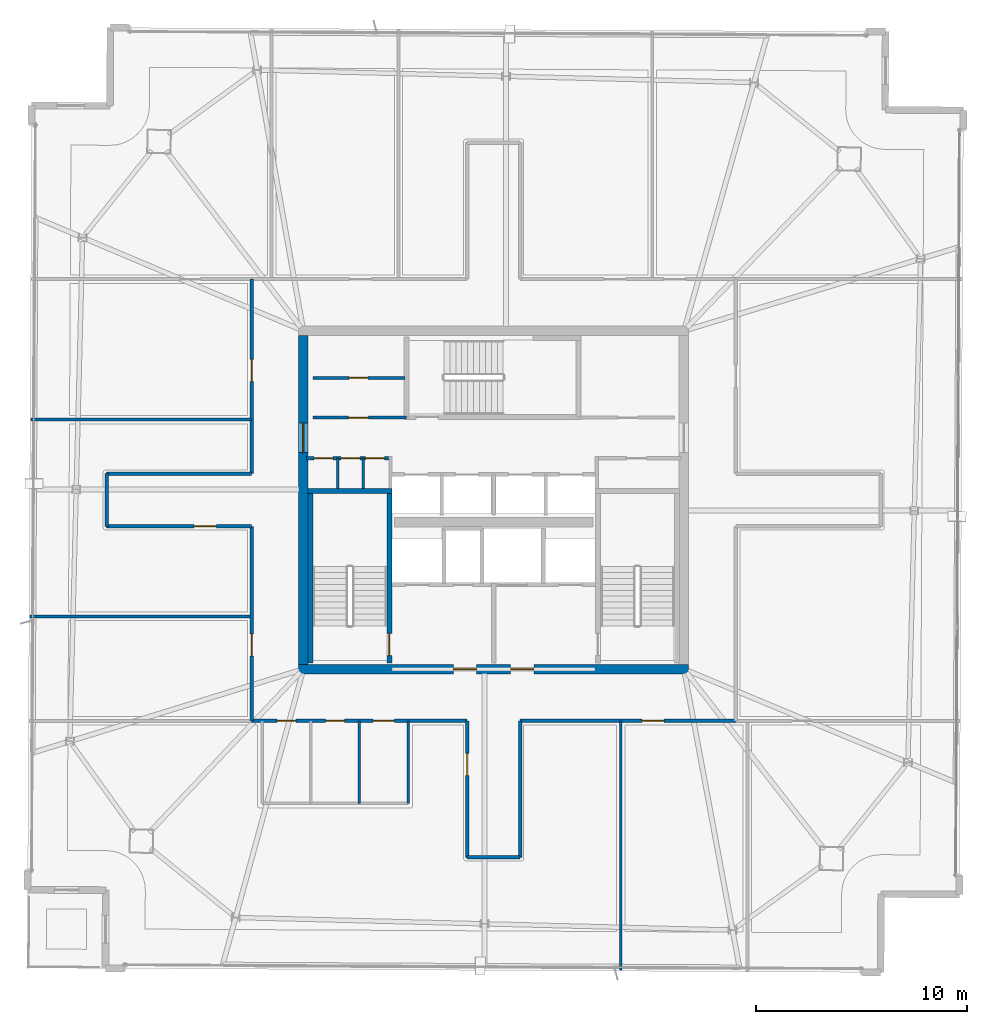
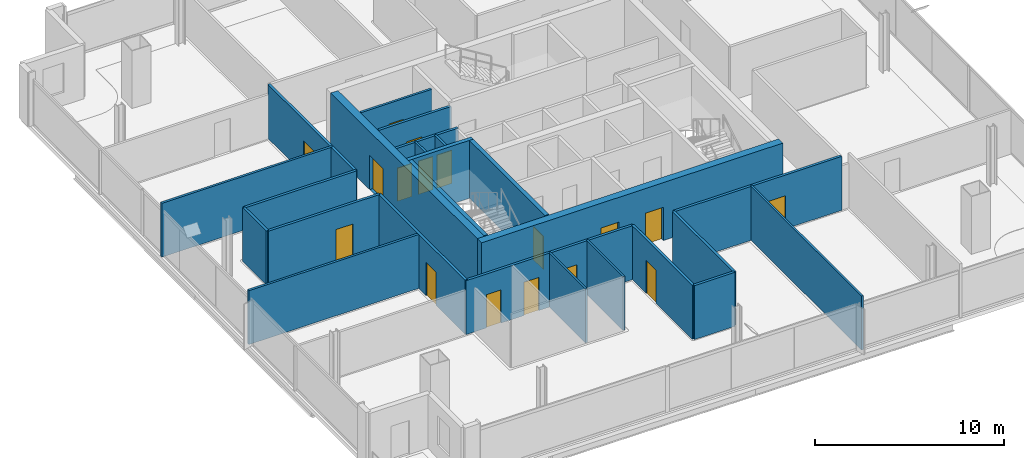
# One storey, part 19 of 24: 25 walls, 17 doors, 17 openings.
"""IFC4 building model written with IfcOpenShell, lengths in metres."""

import ifcopenshell
import ifcopenshell.guid

model = None  # the IFC model being written
_history = None  # IfcOwnerHistory: only IFC2X3 demands one
_inside = {}  # id of a spatial element -> (the spatial element, [elements in it])
_under = {}  # id of a project, library or spatial element -> (it, [spatial elements below it])
_declared = {}  # id of a project -> (the project, [libraries it declares])
_typed = {}  # id of a type object -> (the type object, [elements of that type])
_made_of = {}  # id of a material, layer set ... -> (it, [elements and type objects made of it])


def new_model(schema):
    """Start an empty IFC model of exactly this schema.

    Asked for "IFC4X3", IfcOpenShell would pick the latest addendum, in which some entities
    have other attributes; the version numbers below select the first issue.
    IFC2X3 requires an IfcOwnerHistory on every rooted entity: one is made here for all.
    """
    global model, _history
    if schema == "IFC4X3":
        model = ifcopenshell.file(schema_version=(4, 3, 0, 0))
    else:
        model = ifcopenshell.file(schema=schema)
    _inside.clear()
    _under.clear()
    _declared.clear()
    _typed.clear()
    _made_of.clear()
    _history = None
    if model.schema == "IFC2X3":
        org = make("IfcOrganization", Name="unknown")
        user = make(
            "IfcPersonAndOrganization",
            ThePerson=make("IfcPerson", FamilyName="unknown"),
            TheOrganization=org,
        )
        app = make(
            "IfcApplication",
            ApplicationDeveloper=org,
            Version="unknown",
            ApplicationFullName="unknown",
            ApplicationIdentifier="unknown",
        )
        _history = make(
            "IfcOwnerHistory",
            OwningUser=user,
            OwningApplication=app,
            ChangeAction="ADDED",
            CreationDate=0,
        )
    return model


def make(cls, **values):
    """One entity of the class cls with the attributes given. An attribute that is None is left unset."""
    return model.create_entity(
        cls, **{name: value for name, value in values.items() if value is not None}
    )


def rooted(cls, **values):
    """An entity with a GlobalId (a new one), such as an element, a storey or a relation."""
    return make(cls, GlobalId=ifcopenshell.guid.new(), OwnerHistory=_history, **values)


def si_unit(unit_type, name, prefix=None):
    """IfcSIUnit, for example si_unit("LENGTHUNIT", "METRE", prefix="MILLI")."""
    return make("IfcSIUnit", UnitType=unit_type, Prefix=prefix, Name=name)


def assignment(units):
    """IfcUnitAssignment: the units of a project."""
    return None if units is None else make("IfcUnitAssignment", Units=units)


def point(xyz):
    """IfcCartesianPoint."""
    return None if xyz is None else make("IfcCartesianPoint", Coordinates=xyz)


def direction(xyz):
    """IfcDirection."""
    return None if xyz is None else make("IfcDirection", DirectionRatios=xyz)


def frame(location, z_axis=None, x_axis=None):
    """IfcAxis2Placement3D, a coordinate frame: its origin and axes. An axis left out is left unset."""
    return make(
        "IfcAxis2Placement3D",
        Location=point(location),
        Axis=direction(z_axis),
        RefDirection=direction(x_axis),
    )


def frame_2d(location, x_axis=None):
    """IfcAxis2Placement2D, a coordinate frame in the plane: its origin and x axis."""
    return make(
        "IfcAxis2Placement2D", Location=point(location), RefDirection=direction(x_axis)
    )


def origin():
    """The frame at (0, 0, 0) with its axes left unset."""
    return frame((0.0, 0.0, 0.0))


def place(relative_to, where):
    """IfcLocalPlacement: puts the frame where relative to a parent placement (None: the world)."""
    return make(
        "IfcLocalPlacement", PlacementRelTo=relative_to, RelativePlacement=where
    )


def context(
    kind, dimensions, precision=None, world=None, true_north=None, identifier=None
):
    """IfcGeometricRepresentationContext, for example the 3D "Model" context."""
    return make(
        "IfcGeometricRepresentationContext",
        ContextIdentifier=identifier,
        ContextType=kind,
        CoordinateSpaceDimension=dimensions,
        Precision=precision,
        WorldCoordinateSystem=world,
        TrueNorth=true_north,
    )


def subcontext(parent, identifier, kind, view, scale=None):
    """IfcGeometricRepresentationSubContext, for example "Body" below "Model"."""
    return make(
        "IfcGeometricRepresentationSubContext",
        ContextIdentifier=identifier,
        ContextType=kind,
        ParentContext=parent,
        TargetScale=scale,
        TargetView=view,
    )


def project(units=None, contexts=None):
    """IfcProject with its units and contexts."""
    return rooted(
        "IfcProject",
        Name="project",
        RepresentationContexts=contexts,
        UnitsInContext=assignment(units),
    )


def spatial(cls, under=None, at=None, **own):
    """A site, building, storey or space (cls), placed at a placement, below another one or the project."""
    s = rooted(cls, ObjectPlacement=at, **own)
    if under is not None:
        _under.setdefault(under.id(), (under, []))[1].append(s)
    return s


def profile(cls, at=None, kind="AREA", **sizes):
    """A parametric profile (cls). Its sizes go by their IFC names, for example OverallWidth=200.0."""
    return make(cls, ProfileType=kind, Position=at, **sizes)


def rectangle(**sizes):
    """IfcRectangleProfileDef."""
    return profile("IfcRectangleProfileDef", **sizes)


def extrude(swept, where, along, depth):
    """IfcExtrudedAreaSolid: the profile swept, set in the frame where, extruded along a direction by depth."""
    return make(
        "IfcExtrudedAreaSolid",
        SweptArea=swept,
        Position=where,
        ExtrudedDirection=direction(along),
        Depth=depth,
    )


def shape(context_of_items, identifier, shape_type, items):
    """IfcShapeRepresentation: the items that make up one representation, for example the "Body"."""
    return make(
        "IfcShapeRepresentation",
        ContextOfItems=context_of_items,
        RepresentationIdentifier=identifier,
        RepresentationType=shape_type,
        Items=items,
    )


def material(Name=None, Category=None):
    """IfcMaterial."""
    return make("IfcMaterial", Name=Name, Category=Category)


def layer(
    of_material, thickness, ventilated=None, Name=None, Category=None, Priority=None
):
    """IfcMaterialLayer: one layer of a wall or slab, of a material (None: an air gap)."""
    return make(
        "IfcMaterialLayer",
        Material=of_material,
        LayerThickness=thickness,
        IsVentilated=ventilated,
        Name=Name,
        Category=Category,
        Priority=Priority,
    )


def layer_set(layers, Name=None):
    """IfcMaterialLayerSet."""
    return make("IfcMaterialLayerSet", MaterialLayers=layers, LayerSetName=Name)


def made_of(thing, what):
    """Note that an element or type object is made of a material, layer set ...; save() writes the relation."""
    if what is not None:
        _made_of.setdefault(what.id(), (what, []))[1].append(thing)
    return thing


def type_object(cls, material=None, **own):
    """A type object (cls), such as IfcWallType, which elements share."""
    return made_of(rooted(cls, **own), material)


def element(
    cls,
    number,
    at=None,
    inside=None,
    cuts=None,
    type_object=None,
    material=None,
    context=None,
    identifier="Body",
    shape_type=None,
    held_by="IfcProductDefinitionShape",
    body=None,
    shapes=None,
    **own,
):
    """One element of the class cls, such as IfcWall. Its Tag is "e" and its number.

    at: its placement. inside: the storey or other place that contains it. cuts: it is an
    opening in that element (IfcRelVoidsElement). A single representation is given by context,
    identifier, shape_type and body (its items); several are given by shapes. held_by: the class
    of the entity that holds the representations. save() writes the other relations.
    """
    e = rooted(cls, Tag="e%d" % number, ObjectPlacement=at, **own)
    if body is not None:
        shapes = [shape(context, identifier, shape_type, body)]
    if shapes is not None:
        e.Representation = make(held_by, Representations=shapes)
    if inside is not None:
        _inside.setdefault(inside.id(), (inside, []))[1].append(e)
    if cuts is not None:
        rooted(
            "IfcRelVoidsElement", RelatingBuildingElement=cuts, RelatedOpeningElement=e
        )
    if type_object is not None:
        _typed.setdefault(type_object.id(), (type_object, []))[1].append(e)
    return made_of(e, material)


def fill(opening, filler):
    """IfcRelFillsElement: the door or window that sits in an opening."""
    return rooted(
        "IfcRelFillsElement",
        RelatingOpeningElement=opening,
        RelatedBuildingElement=filler,
    )


def aggregate(whole, parts):
    """IfcRelAggregates: a whole, such as a stair, and the parts it consists of."""
    return rooted("IfcRelAggregates", RelatingObject=whole, RelatedObjects=parts)


def save(model, path):
    """Write the relations noted so far, then the file.

    IfcRelAggregates (storeys below a building ...), IfcRelContainedInSpatialStructure (elements
    in a storey), IfcRelDefinesByType, IfcRelAssociatesMaterial and IfcRelDeclares: one each for
    every whole, place, type object, material and project.
    """
    for whole, parts in _under.values():
        aggregate(whole, parts)
    for where, things in _inside.values():
        rooted(
            "IfcRelContainedInSpatialStructure",
            RelatedElements=things,
            RelatingStructure=where,
        )
    for kind, things in _typed.values():
        rooted("IfcRelDefinesByType", RelatedObjects=things, RelatingType=kind)
    for what, things in _made_of.values():
        rooted("IfcRelAssociatesMaterial", RelatedObjects=things, RelatingMaterial=what)
    for by, libraries in _declared.values():
        rooted("IfcRelDeclares", RelatingContext=by, RelatedDefinitions=libraries)
    model.write(path)


model = new_model("IFC4")

# Units and contexts
model_context = context("Model", 3, precision=1e-05, world=origin(), true_north=direction((0.0, 1.0)))
body_context = subcontext(model_context, "Body", "Model", "MODEL_VIEW")
ifc_project = project(units=[si_unit("LENGTHUNIT", "METRE"), si_unit("AREAUNIT", "SQUARE_METRE"), si_unit("VOLUMEUNIT", "CUBIC_METRE"), si_unit("PLANEANGLEUNIT", "RADIAN"), si_unit("MASSUNIT", "GRAM", prefix="KILO")], contexts=[model_context])

# Site, building, storey
site_placement = place(None, origin())
site = spatial("IfcSite", under=ifc_project, at=site_placement, CompositionType="ELEMENT")
building_placement = place(site_placement, origin())
building = spatial("IfcBuilding", under=site, at=building_placement, Name="Haldenkirk Collegiate Tower", CompositionType="ELEMENT")
storey_placement = place(building_placement, frame((0.0, 0.0, 328.949951171875)))
storey = spatial("IfcBuildingStorey", under=building, at=storey_placement, Name="L83", CompositionType="ELEMENT", Elevation=328.949951171875)

# Wall, openings, doors
ifc_material_1 = material(Name="Concrete f'c 55 MPa", Category="concrete")
ifc_layer_1 = layer(ifc_material_1, 0.449951171875)
ifc_layer_set_1 = layer_set([ifc_layer_1], Name="Concrete f'c 55 MPa")
wall_type_1 = type_object("IfcWallType", Name="WL-CORE-450", PredefinedType="SHEAR", material=ifc_layer_set_1)
wall_1_placement = place(storey_placement, frame((26.77490234375, 18.0, 0.0), z_axis=(0.0, 0.0, 1.0), x_axis=(1.0, 0.0, 0.0)))
wall_1 = element("IfcWall", 1, at=wall_1_placement, inside=storey, type_object=wall_type_1, Name="L83 central core shear wall S", PredefinedType="SHEAR", context=body_context, shape_type="SweptSolid", body=[
    extrude(rectangle(XDim=18.4501953125, YDim=0.449951171875, at=frame_2d((9.22509765625, 0.0))), origin(), (0.0, 0.0, 1.0), 3.75),
])
opening_1_placement = place(wall_1_placement, frame((7.324951171875, 0.0, 0.0)))
opening_1 = element("IfcOpeningElement", 2, at=opening_1_placement, cuts=wall_1, Name="Opening D-02", PredefinedType="OPENING", context=body_context, shape_type="SweptSolid", body=[
    extrude(rectangle(XDim=1.10009765625, YDim=2.14990234375, at=frame_2d((0.550048828125, 1.074951171875))), frame((0.0, 0.23486328125, 0.0), z_axis=(0.0, -1.0, 0.0), x_axis=(1.0, 0.0, 0.0)), (0.0, 0.0, 1.0), 0.469970703125),
])
opening_2_placement = place(wall_1_placement, frame((10.02490234375, 0.0, 0.0)))
opening_2 = element("IfcOpeningElement", 3, at=opening_2_placement, cuts=wall_1, Name="Opening D-02", PredefinedType="OPENING", context=body_context, shape_type="SweptSolid", body=[
    extrude(rectangle(XDim=1.10009765625, YDim=2.14990234375, at=frame_2d((0.550048828125, 1.074951171875))), frame((0.0, 0.23486328125, 0.0), z_axis=(0.0, -1.0, 0.0), x_axis=(1.0, 0.0, 0.0)), (0.0, 0.0, 1.0), 0.469970703125),
])
ifc_material_2 = material(Name="Galvanized fire-rated hollow steel door", Category="steel")
ifc_layer_2 = layer(ifc_material_2, 0.06005859375)
ifc_layer_set_2 = layer_set([ifc_layer_2], Name="Galvanized fire-rated hollow steel door")
door_type_1 = type_object("IfcDoorType", Name="DR-STAIR-FD90-1100", OperationType="NOTDEFINED", PredefinedType="DOOR", material=ifc_layer_set_2)
door_1_placement = place(opening_1_placement, origin())
door_1 = element("IfcDoor", 4, at=door_1_placement, inside=storey, type_object=door_type_1, Name="L83 Firefighting Lobby 1 door", OperationType="SINGLE_SWING_LEFT", OverallHeight=2.14990234375, OverallWidth=1.10009765625, PredefinedType="DOOR", context=body_context, shape_type="SweptSolid", body=[
    extrude(rectangle(XDim=1.10009765625, YDim=2.14990234375, at=frame_2d((0.550048828125, 1.074951171875))), frame((0.0, 0.02490234375, 0.0), z_axis=(0.0, -1.0, 0.0), x_axis=(1.0, 0.0, 0.0)), (0.0, 0.0, 1.0), 0.050048828125),
])
fill(opening_1, door_1)
door_2_placement = place(opening_2_placement, origin())
door_2 = element("IfcDoor", 5, at=door_2_placement, inside=storey, type_object=door_type_1, Name="L83 Firefighting Lobby 2 door", OperationType="SINGLE_SWING_RIGHT", OverallHeight=2.14990234375, OverallWidth=1.10009765625, PredefinedType="DOOR", context=body_context, shape_type="SweptSolid", body=[
    extrude(rectangle(XDim=1.10009765625, YDim=2.14990234375, at=frame_2d((0.550048828125, 1.074951171875))), frame((0.0, 0.02490234375, 0.0), z_axis=(0.0, -1.0, 0.0), x_axis=(1.0, 0.0, 0.0)), (0.0, 0.0, 1.0), 0.050048828125),
])
fill(opening_2, door_2)

# Wall, opening, door
wall_2_placement = place(storey_placement, frame((27.0, 18.22509765625, 0.0), z_axis=(0.0, 0.0, 1.0), x_axis=(0.0, 1.0, 0.0)))
wall_2 = element("IfcWall", 6, at=wall_2_placement, inside=storey, type_object=wall_type_1, Name="L83 central core shear wall W", PredefinedType="SHEAR", context=body_context, shape_type="SweptSolid", body=[
    extrude(rectangle(XDim=15.5498046875, YDim=0.449951171875, at=frame_2d((7.77490234375, 0.0))), origin(), (0.0, 0.0, 1.0), 3.75),
])
opening_3_placement = place(wall_2_placement, frame((10.014892578125, 0.0, 0.0)))
opening_3 = element("IfcOpeningElement", 7, at=opening_3_placement, cuts=wall_2, Name="Opening D-03", PredefinedType="OPENING", context=body_context, shape_type="SweptSolid", body=[
    extrude(rectangle(XDim=1.39990234375, YDim=2.199951171875, at=frame_2d((0.699951171875, 1.10009765625))), frame((0.0, 0.23486328125, 0.0), z_axis=(0.0, -1.0, 0.0), x_axis=(1.0, 0.0, 0.0)), (0.0, 0.0, 1.0), 0.469970703125),
])
ifc_layer_3 = layer(ifc_material_2, 0.06005859375)
ifc_layer_set_3 = layer_set([ifc_layer_3], Name="Galvanized fire-rated hollow steel door")
door_type_2 = type_object("IfcDoorType", Name="DR-LOBBY-FD90-1400", OperationType="NOTDEFINED", PredefinedType="DOOR", material=ifc_layer_set_3)
door_3_placement = place(opening_3_placement, origin())
door_3 = element("IfcDoor", 8, at=door_3_placement, inside=storey, type_object=door_type_2, Name="L83 west lift lobby portal", OperationType="DOUBLE_DOOR_SINGLE_SWING", OverallHeight=2.199951171875, OverallWidth=1.39990234375, PredefinedType="DOOR", context=body_context, shape_type="SweptSolid", body=[
    extrude(rectangle(XDim=1.39990234375, YDim=2.199951171875, at=frame_2d((0.699951171875, 1.10009765625))), frame((0.0, 0.02490234375, 0.0), z_axis=(0.0, -1.0, 0.0), x_axis=(1.0, 0.0, 0.0)), (0.0, 0.0, 1.0), 0.050048828125),
])
fill(opening_3, door_3)

# Wall, openings, doors
ifc_material_3 = material(Name="Acoustic fire-rated gypsum partition", Category="concrete")
ifc_layer_4 = layer(ifc_material_3, 0.159912109375)
ifc_layer_set_4 = layer_set([ifc_layer_4], Name="Acoustic fire-rated gypsum partition")
wall_type_2 = type_object("IfcWallType", Name="WL-INT-CORR-160", PredefinedType="PARTITIONING", material=ifc_layer_set_4)
wall_3_placement = place(storey_placement, frame((27.14990234375, 27.97998046875, 0.0), z_axis=(0.0, 0.0, 1.0), x_axis=(1.0, 0.0, 0.0)))
wall_3 = element("IfcWall", 9, at=wall_3_placement, inside=storey, type_object=wall_type_2, Name="L83 interior partition IW-L83-VCSW-N", PredefinedType="PARTITIONING", context=body_context, shape_type="SweptSolid", body=[
    extrude(rectangle(XDim=4.050048828125, YDim=0.159912109375, at=frame_2d((2.02490234375, 0.0))), origin(), (0.0, 0.0, 1.0), 3.489990234375),
])
opening_4_placement = place(wall_3_placement, frame((0.360107421875, 0.0, 0.0)))
opening_4 = element("IfcOpeningElement", 10, at=opening_4_placement, cuts=wall_3, Name="Opening D-11", PredefinedType="OPENING", context=body_context, shape_type="SweptSolid", body=[
    extrude(rectangle(XDim=0.89990234375, YDim=2.14990234375, at=frame_2d((0.449951171875, 1.074951171875))), frame((0.0, 0.08984375, 0.0), z_axis=(0.0, -1.0, 0.0), x_axis=(1.0, 0.0, 0.0)), (0.0, 0.0, 1.0), 0.179931640625),
])
opening_5_placement = place(wall_3_placement, frame((1.6298828125, 0.0, 0.0)))
opening_5 = element("IfcOpeningElement", 11, at=opening_5_placement, cuts=wall_3, Name="Opening D-11", PredefinedType="OPENING", context=body_context, shape_type="SweptSolid", body=[
    extrude(rectangle(XDim=0.89990234375, YDim=2.14990234375, at=frame_2d((0.449951171875, 1.074951171875))), frame((0.0, 0.08984375, 0.0), z_axis=(0.0, -1.0, 0.0), x_axis=(1.0, 0.0, 0.0)), (0.0, 0.0, 1.0), 0.179931640625),
])
opening_6_placement = place(wall_3_placement, frame((2.78759765625, 0.0, 0.0)))
opening_6 = element("IfcOpeningElement", 12, at=opening_6_placement, cuts=wall_3, Name="Opening D-11", PredefinedType="OPENING", context=body_context, shape_type="SweptSolid", body=[
    extrude(rectangle(XDim=0.89990234375, YDim=2.14990234375, at=frame_2d((0.449951171875, 1.074951171875))), frame((0.0, 0.08984375, 0.0), z_axis=(0.0, -1.0, 0.0), x_axis=(1.0, 0.0, 0.0)), (0.0, 0.0, 1.0), 0.179931640625),
])
ifc_material_4 = material(Name="Solid-core architectural oak fire door", Category="wood")
ifc_layer_5 = layer(ifc_material_4, 0.06005859375)
ifc_layer_set_5 = layer_set([ifc_layer_5], Name="Solid-core architectural oak fire door")
door_type_3 = type_object("IfcDoorType", Name="DR-INT-FD60-900", OperationType="NOTDEFINED", PredefinedType="DOOR", material=ifc_layer_set_5)
door_4_placement = place(opening_4_placement, origin())
door_4 = element("IfcDoor", 13, at=door_4_placement, inside=storey, type_object=door_type_3, Name="L83 core study booth door", OperationType="SINGLE_SWING_LEFT", OverallHeight=2.14990234375, OverallWidth=0.89990234375, PredefinedType="DOOR", context=body_context, shape_type="SweptSolid", body=[
    extrude(rectangle(XDim=0.89990234375, YDim=2.14990234375, at=frame_2d((0.449951171875, 1.074951171875))), frame((0.0, 0.02490234375, 0.0), z_axis=(0.0, -1.0, 0.0), x_axis=(1.0, 0.0, 0.0)), (0.0, 0.0, 1.0), 0.050048828125),
])
fill(opening_4, door_4)
door_5_placement = place(opening_5_placement, origin())
door_5 = element("IfcDoor", 14, at=door_5_placement, inside=storey, type_object=door_type_3, Name="L83 core cleaners door", OperationType="SINGLE_SWING_RIGHT", OverallHeight=2.14990234375, OverallWidth=0.89990234375, PredefinedType="DOOR", context=body_context, shape_type="SweptSolid", body=[
    extrude(rectangle(XDim=0.89990234375, YDim=2.14990234375, at=frame_2d((0.449951171875, 1.074951171875))), frame((0.0, 0.02490234375, 0.0), z_axis=(0.0, -1.0, 0.0), x_axis=(1.0, 0.0, 0.0)), (0.0, 0.0, 1.0), 0.050048828125),
])
fill(opening_5, door_5)
door_6_placement = place(opening_6_placement, origin())
door_6 = element("IfcDoor", 15, at=door_6_placement, inside=storey, type_object=door_type_3, Name="L83 core stationery door", OperationType="SINGLE_SWING_LEFT", OverallHeight=2.14990234375, OverallWidth=0.89990234375, PredefinedType="DOOR", context=body_context, shape_type="SweptSolid", body=[
    extrude(rectangle(XDim=0.89990234375, YDim=2.14990234375, at=frame_2d((0.449951171875, 1.074951171875))), frame((0.0, 0.02490234375, 0.0), z_axis=(0.0, -1.0, 0.0), x_axis=(1.0, 0.0, 0.0)), (0.0, 0.0, 1.0), 0.050048828125),
])
fill(opening_6, door_6)

# Wall, opening, door
wall_4_placement = place(storey_placement, frame((27.449951171875, 29.89990234375, 0.0), z_axis=(0.0, 0.0, 1.0), x_axis=(1.0, 0.0, 0.0)))
wall_4 = element("IfcWall", 16, at=wall_4_placement, inside=storey, type_object=wall_type_2, Name="L83 interior partition IW-L83-PLS", PredefinedType="PARTITIONING", context=body_context, shape_type="SweptSolid", body=[
    extrude(rectangle(XDim=4.429931640625, YDim=0.159912109375, at=frame_2d((2.21484375, 0.0))), origin(), (0.0, 0.0, 1.0), 3.489990234375),
])
opening_7_placement = place(wall_4_placement, frame((1.675048828125, 0.0, 0.0)))
opening_7 = element("IfcOpeningElement", 17, at=opening_7_placement, cuts=wall_4, Name="Opening D-10", PredefinedType="OPENING", context=body_context, shape_type="SweptSolid", body=[
    extrude(rectangle(XDim=0.949951171875, YDim=2.14990234375, at=frame_2d((0.47509765625, 1.074951171875))), frame((0.0, 0.08984375, 0.0), z_axis=(0.0, -1.0, 0.0), x_axis=(1.0, 0.0, 0.0)), (0.0, 0.0, 1.0), 0.179931640625),
])
ifc_layer_6 = layer(ifc_material_4, 0.06005859375)
ifc_layer_set_6 = layer_set([ifc_layer_6], Name="Solid-core architectural oak fire door")
door_type_4 = type_object("IfcDoorType", Name="DR-INT-FD60-950", OperationType="NOTDEFINED", PredefinedType="DOOR", material=ifc_layer_set_6)
door_7_placement = place(opening_7_placement, origin())
door_7 = element("IfcDoor", 18, at=door_7_placement, inside=storey, type_object=door_type_4, Name="L83 consultation door", OperationType="SINGLE_SWING_LEFT", OverallHeight=2.14990234375, OverallWidth=0.949951171875, PredefinedType="DOOR", context=body_context, shape_type="SweptSolid", body=[
    extrude(rectangle(XDim=0.949951171875, YDim=2.14990234375, at=frame_2d((0.47509765625, 1.074951171875))), frame((0.0, 0.02490234375, 0.0), z_axis=(0.0, -1.0, 0.0), x_axis=(1.0, 0.0, 0.0)), (0.0, 0.0, 1.0), 0.050048828125),
])
fill(opening_7, door_7)

# Wall, openings, doors
wall_5_placement = place(storey_placement, frame((24.5, 15.550048828125, 0.0), z_axis=(0.0, 0.0, 1.0), x_axis=(1.0, 0.0, 0.0)))
wall_5 = element("IfcWall", 19, at=wall_5_placement, inside=storey, type_object=wall_type_2, Name="L83 interior partition IW-L83-CS1", PredefinedType="PARTITIONING", context=body_context, shape_type="SweptSolid", body=[
    extrude(rectangle(XDim=10.25, YDim=0.159912109375, at=frame_2d((5.125, 0.0))), origin(), (0.0, 0.0, 1.0), 3.489990234375),
])
opening_8_placement = place(wall_5_placement, frame((1.25, 0.0, 0.0)))
opening_8 = element("IfcOpeningElement", 20, at=opening_8_placement, cuts=wall_5, Name="Opening D-13", PredefinedType="OPENING", context=body_context, shape_type="SweptSolid", body=[
    extrude(rectangle(XDim=0.89990234375, YDim=2.14990234375, at=frame_2d((0.449951171875, 1.074951171875))), frame((0.0, 0.08984375, 0.0), z_axis=(0.0, -1.0, 0.0), x_axis=(1.0, 0.0, 0.0)), (0.0, 0.0, 1.0), 0.179931640625),
])
opening_9_placement = place(wall_5_placement, frame((3.550048828125, 0.0, 0.0)))
opening_9 = element("IfcOpeningElement", 21, at=opening_9_placement, cuts=wall_5, Name="Opening D-13", PredefinedType="OPENING", context=body_context, shape_type="SweptSolid", body=[
    extrude(rectangle(XDim=0.89990234375, YDim=2.14990234375, at=frame_2d((0.449951171875, 1.074951171875))), frame((0.0, 0.08984375, 0.0), z_axis=(0.0, -1.0, 0.0), x_axis=(1.0, 0.0, 0.0)), (0.0, 0.0, 1.0), 0.179931640625),
])
opening_10_placement = place(wall_5_placement, frame((5.800048828125, 0.0, 0.0)))
opening_10 = element("IfcOpeningElement", 22, at=opening_10_placement, cuts=wall_5, Name="Opening D-14", PredefinedType="OPENING", context=body_context, shape_type="SweptSolid", body=[
    extrude(rectangle(XDim=1.0, YDim=2.14990234375, at=frame_2d((0.5, 1.074951171875))), frame((0.0, 0.08984375, 0.0), z_axis=(0.0, -1.0, 0.0), x_axis=(1.0, 0.0, 0.0)), (0.0, 0.0, 1.0), 0.179931640625),
])
ifc_layer_7 = layer(ifc_material_4, 0.06005859375)
ifc_layer_set_7 = layer_set([ifc_layer_7], Name="Solid-core architectural oak fire door")
door_type_5 = type_object("IfcDoorType", Name="DR-INT-ACC-1000", OperationType="NOTDEFINED", PredefinedType="DOOR", material=ifc_layer_set_7)
door_8_placement = place(opening_10_placement, origin())
door_8 = element("IfcDoor", 23, at=door_8_placement, inside=storey, type_object=door_type_5, Name="L83 Accessible WC door", OperationType="SINGLE_SWING_RIGHT", OverallHeight=2.14990234375, OverallWidth=1.0, PredefinedType="DOOR", context=body_context, shape_type="SweptSolid", body=[
    extrude(rectangle(XDim=1.0, YDim=2.14990234375, at=frame_2d((0.5, 1.074951171875))), frame((0.0, 0.02490234375, 0.0), z_axis=(0.0, -1.0, 0.0), x_axis=(1.0, 0.0, 0.0)), (0.0, 0.0, 1.0), 0.050048828125),
])
fill(opening_10, door_8)
ifc_layer_8 = layer(ifc_material_4, 0.06005859375)
ifc_layer_set_8 = layer_set([ifc_layer_8], Name="Solid-core architectural oak fire door")
door_type_6 = type_object("IfcDoorType", Name="DR-INT-STD-900", OperationType="NOTDEFINED", PredefinedType="DOOR", material=ifc_layer_set_8)
door_9_placement = place(opening_8_placement, origin())
door_9 = element("IfcDoor", 24, at=door_9_placement, inside=storey, type_object=door_type_6, Name="L83 Male WC door", OperationType="SINGLE_SWING_RIGHT", OverallHeight=2.14990234375, OverallWidth=0.89990234375, PredefinedType="DOOR", context=body_context, shape_type="SweptSolid", body=[
    extrude(rectangle(XDim=0.89990234375, YDim=2.14990234375, at=frame_2d((0.449951171875, 1.074951171875))), frame((0.0, 0.02490234375, 0.0), z_axis=(0.0, -1.0, 0.0), x_axis=(1.0, 0.0, 0.0)), (0.0, 0.0, 1.0), 0.050048828125),
])
fill(opening_8, door_9)
door_10_placement = place(opening_9_placement, origin())
door_10 = element("IfcDoor", 25, at=door_10_placement, inside=storey, type_object=door_type_6, Name="L83 Female WC door", OperationType="SINGLE_SWING_LEFT", OverallHeight=2.14990234375, OverallWidth=0.89990234375, PredefinedType="DOOR", context=body_context, shape_type="SweptSolid", body=[
    extrude(rectangle(XDim=0.89990234375, YDim=2.14990234375, at=frame_2d((0.449951171875, 1.074951171875))), frame((0.0, 0.02490234375, 0.0), z_axis=(0.0, -1.0, 0.0), x_axis=(1.0, 0.0, 0.0)), (0.0, 0.0, 1.0), 0.050048828125),
])
fill(opening_9, door_10)

# Wall, opening, door
wall_6_placement = place(storey_placement, frame((37.25, 15.550048828125, 0.0), z_axis=(0.0, 0.0, 1.0), x_axis=(1.0, 0.0, 0.0)))
wall_6 = element("IfcWall", 26, at=wall_6_placement, inside=storey, type_object=wall_type_2, Name="L83 interior partition IW-L83-CS2", PredefinedType="PARTITIONING", context=body_context, shape_type="SweptSolid", body=[
    extrude(rectangle(XDim=10.25, YDim=0.159912109375, at=frame_2d((5.125, 0.0))), origin(), (0.0, 0.0, 1.0), 3.489990234375),
])
opening_11_placement = place(wall_6_placement, frame((5.759033203125, 0.0, 0.0)))
opening_11 = element("IfcOpeningElement", 27, at=opening_11_placement, cuts=wall_6, Name="Opening D-09", PredefinedType="OPENING", context=body_context, shape_type="SweptSolid", body=[
    extrude(rectangle(XDim=1.050048828125, YDim=2.14990234375, at=frame_2d((0.52490234375, 1.074951171875))), frame((0.0, 0.08984375, 0.0), z_axis=(0.0, -1.0, 0.0), x_axis=(1.0, 0.0, 0.0)), (0.0, 0.0, 1.0), 0.179931640625),
])
ifc_layer_9 = layer(ifc_material_4, 0.06005859375)
ifc_layer_set_9 = layer_set([ifc_layer_9], Name="Solid-core architectural oak fire door")
door_type_7 = type_object("IfcDoorType", Name="DR-INT-FD60-1050", OperationType="NOTDEFINED", PredefinedType="DOOR", material=ifc_layer_set_9)
door_11_placement = place(opening_11_placement, origin())
door_11 = element("IfcDoor", 28, at=door_11_placement, inside=storey, type_object=door_type_7, Name="L83 Colloquium Conference Room 2 door", OperationType="SINGLE_SWING_RIGHT", OverallHeight=2.14990234375, OverallWidth=1.050048828125, PredefinedType="DOOR", context=body_context, shape_type="SweptSolid", body=[
    extrude(rectangle(XDim=1.050048828125, YDim=2.14990234375, at=frame_2d((0.52490234375, 1.074951171875))), frame((0.0, 0.02490234375, 0.0), z_axis=(0.0, -1.0, 0.0), x_axis=(1.0, 0.0, 0.0)), (0.0, 0.0, 1.0), 0.050048828125),
])
fill(opening_11, door_11)

wall_7_placement = place(storey_placement, frame((24.550048828125, 15.550048828125, 0.0), z_axis=(0.0, 0.0, 1.0), x_axis=(0.0, 1.0, 0.0)))
wall_7 = element("IfcWall", 29, at=wall_7_placement, inside=storey, type_object=wall_type_2, Name="L83 interior partition IW-L83-CW1", PredefinedType="PARTITIONING", context=body_context, shape_type="SweptSolid", body=[
    extrude(rectangle(XDim=9.199951171875, YDim=0.159912109375, at=frame_2d((4.60009765625, 0.0))), origin(), (0.0, 0.0, 1.0), 3.489990234375),
])
opening_12_placement = place(wall_7_placement, frame((3.06689453125, 0.0, 0.0)))
opening_12 = element("IfcOpeningElement", 30, at=opening_12_placement, cuts=wall_7, Name="Opening D-09", PredefinedType="OPENING", context=body_context, shape_type="SweptSolid", body=[
    extrude(rectangle(XDim=1.050048828125, YDim=2.14990234375, at=frame_2d((0.52490234375, 1.074951171875))), frame((0.0, 0.08984375, 0.0), z_axis=(0.0, -1.0, 0.0), x_axis=(1.0, 0.0, 0.0)), (0.0, 0.0, 1.0), 0.179931640625),
])
door_12_placement = place(opening_12_placement, origin())
door_12 = element("IfcDoor", 31, at=door_12_placement, inside=storey, type_object=door_type_7, Name="L83 Colloquium Conference Room 8 door", OperationType="SINGLE_SWING_RIGHT", OverallHeight=2.14990234375, OverallWidth=1.050048828125, PredefinedType="DOOR", context=body_context, shape_type="SweptSolid", body=[
    extrude(rectangle(XDim=1.050048828125, YDim=2.14990234375, at=frame_2d((0.52490234375, 1.074951171875))), frame((0.0, 0.02490234375, 0.0), z_axis=(0.0, -1.0, 0.0), x_axis=(1.0, 0.0, 0.0)), (0.0, 0.0, 1.0), 0.050048828125),
])
fill(opening_12, door_12)

wall_8_placement = place(storey_placement, frame((24.550048828125, 27.25, 0.0), z_axis=(0.0, 0.0, 1.0), x_axis=(0.0, 1.0, 0.0)))
wall_8 = element("IfcWall", 32, at=wall_8_placement, inside=storey, type_object=wall_type_2, Name="L83 interior partition IW-L83-CW2", PredefinedType="PARTITIONING", context=body_context, shape_type="SweptSolid", body=[
    extrude(rectangle(XDim=9.199951171875, YDim=0.159912109375, at=frame_2d((4.60009765625, 0.0))), origin(), (0.0, 0.0, 1.0), 3.489990234375),
])
opening_13_placement = place(wall_8_placement, frame((4.345947265625, 0.0, 0.0)))
opening_13 = element("IfcOpeningElement", 33, at=opening_13_placement, cuts=wall_8, Name="Opening D-09", PredefinedType="OPENING", context=body_context, shape_type="SweptSolid", body=[
    extrude(rectangle(XDim=1.050048828125, YDim=2.14990234375, at=frame_2d((0.52490234375, 1.074951171875))), frame((0.0, 0.08984375, 0.0), z_axis=(0.0, -1.0, 0.0), x_axis=(1.0, 0.0, 0.0)), (0.0, 0.0, 1.0), 0.179931640625),
])
door_13_placement = place(opening_13_placement, origin())
door_13 = element("IfcDoor", 34, at=door_13_placement, inside=storey, type_object=door_type_7, Name="L83 Breakout Conference Room 10 door", OperationType="SINGLE_SWING_RIGHT", OverallHeight=2.14990234375, OverallWidth=1.050048828125, PredefinedType="DOOR", context=body_context, shape_type="SweptSolid", body=[
    extrude(rectangle(XDim=1.050048828125, YDim=2.14990234375, at=frame_2d((0.52490234375, 1.074951171875))), frame((0.0, 0.02490234375, 0.0), z_axis=(0.0, -1.0, 0.0), x_axis=(1.0, 0.0, 0.0)), (0.0, 0.0, 1.0), 0.050048828125),
])
fill(opening_13, door_13)

wall_9_placement = place(storey_placement, frame((34.75, 9.10009765625, 0.0), z_axis=(0.0, 0.0, 1.0), x_axis=(0.0, 1.0, 0.0)))
wall_9 = element("IfcWall", 35, at=wall_9_placement, inside=storey, type_object=wall_type_2, Name="L83 interior partition IW-L83-SPW", PredefinedType="PARTITIONING", context=body_context, shape_type="SweptSolid", body=[
    extrude(rectangle(XDim=6.449951171875, YDim=0.159912109375, at=frame_2d((3.22509765625, 0.0))), origin(), (0.0, 0.0, 1.0), 3.489990234375),
])
opening_14_placement = place(wall_9_placement, frame((3.861083984375, 0.0, 0.0)))
opening_14 = element("IfcOpeningElement", 36, at=opening_14_placement, cuts=wall_9, Name="Opening D-09", PredefinedType="OPENING", context=body_context, shape_type="SweptSolid", body=[
    extrude(rectangle(XDim=1.050048828125, YDim=2.14990234375, at=frame_2d((0.52490234375, 1.074951171875))), frame((0.0, 0.08984375, 0.0), z_axis=(0.0, -1.0, 0.0), x_axis=(1.0, 0.0, 0.0)), (0.0, 0.0, 1.0), 0.179931640625),
])
door_14_placement = place(opening_14_placement, origin())
door_14 = element("IfcDoor", 37, at=door_14_placement, inside=storey, type_object=door_type_7, Name="L83 Graduate Seminar Room 1 door", OperationType="SINGLE_SWING_LEFT", OverallHeight=2.14990234375, OverallWidth=1.050048828125, PredefinedType="DOOR", context=body_context, shape_type="SweptSolid", body=[
    extrude(rectangle(XDim=1.050048828125, YDim=2.14990234375, at=frame_2d((0.52490234375, 1.074951171875))), frame((0.0, 0.02490234375, 0.0), z_axis=(0.0, -1.0, 0.0), x_axis=(1.0, 0.0, 0.0)), (0.0, 0.0, 1.0), 0.050048828125),
])
fill(opening_14, door_14)

# Walls
wall_10_placement = place(storey_placement, frame((37.25, 9.10009765625, 0.0), z_axis=(0.0, 0.0, 1.0), x_axis=(0.0, 1.0, 0.0)))
element("IfcWall", 38, at=wall_10_placement, inside=storey, type_object=wall_type_2, Name="L83 interior partition IW-L83-SPE", PredefinedType="PARTITIONING", context=body_context, shape_type="SweptSolid", body=[
    extrude(rectangle(XDim=6.449951171875, YDim=0.159912109375, at=frame_2d((3.22509765625, 0.0))), origin(), (0.0, 0.0, 1.0), 3.489990234375),
])
wall_11_placement = place(storey_placement, frame((34.75, 9.10009765625, 0.0), z_axis=(0.0, 0.0, 1.0), x_axis=(1.0, 0.0, 0.0)))
element("IfcWall", 39, at=wall_11_placement, inside=storey, type_object=wall_type_2, Name="L83 interior partition IW-L83-SPS", PredefinedType="PARTITIONING", context=body_context, shape_type="SweptSolid", body=[
    extrude(rectangle(XDim=2.5, YDim=0.159912109375, at=frame_2d((1.25, 0.0))), origin(), (0.0, 0.0, 1.0), 3.489990234375),
])

# Wall, opening, door
wall_12_placement = place(storey_placement, frame((17.699951171875, 24.75, 0.0), z_axis=(0.0, 0.0, 1.0), x_axis=(1.0, 0.0, 0.0)))
wall_12 = element("IfcWall", 40, at=wall_12_placement, inside=storey, type_object=wall_type_2, Name="L83 interior partition IW-L83-WPS", PredefinedType="PARTITIONING", context=body_context, shape_type="SweptSolid", body=[
    extrude(rectangle(XDim=6.85009765625, YDim=0.159912109375, at=frame_2d((3.425048828125, 0.0))), origin(), (0.0, 0.0, 1.0), 3.489990234375),
])
opening_15_placement = place(wall_12_placement, frame((4.133056640625, 0.0, 0.0)))
opening_15 = element("IfcOpeningElement", 41, at=opening_15_placement, cuts=wall_12, Name="Opening D-09", PredefinedType="OPENING", context=body_context, shape_type="SweptSolid", body=[
    extrude(rectangle(XDim=1.050048828125, YDim=2.14990234375, at=frame_2d((0.52490234375, 1.074951171875))), frame((0.0, 0.08984375, 0.0), z_axis=(0.0, -1.0, 0.0), x_axis=(1.0, 0.0, 0.0)), (0.0, 0.0, 1.0), 0.179931640625),
])
door_15_placement = place(opening_15_placement, origin())
door_15 = element("IfcDoor", 42, at=door_15_placement, inside=storey, type_object=door_type_7, Name="L83 Tutorial Seminar Room 9 door", OperationType="SINGLE_SWING_LEFT", OverallHeight=2.14990234375, OverallWidth=1.050048828125, PredefinedType="DOOR", context=body_context, shape_type="SweptSolid", body=[
    extrude(rectangle(XDim=1.050048828125, YDim=2.14990234375, at=frame_2d((0.52490234375, 1.074951171875))), frame((0.0, 0.02490234375, 0.0), z_axis=(0.0, -1.0, 0.0), x_axis=(1.0, 0.0, 0.0)), (0.0, 0.0, 1.0), 0.050048828125),
])
fill(opening_15, door_15)

# Walls
wall_13_placement = place(storey_placement, frame((17.699951171875, 27.25, 0.0), z_axis=(0.0, 0.0, 1.0), x_axis=(1.0, 0.0, 0.0)))
element("IfcWall", 43, at=wall_13_placement, inside=storey, type_object=wall_type_2, Name="L83 interior partition IW-L83-WPN", PredefinedType="PARTITIONING", context=body_context, shape_type="SweptSolid", body=[
    extrude(rectangle(XDim=6.85009765625, YDim=0.159912109375, at=frame_2d((3.425048828125, 0.0))), origin(), (0.0, 0.0, 1.0), 3.489990234375),
])
wall_14_placement = place(storey_placement, frame((17.699951171875, 24.75, 0.0), z_axis=(0.0, 0.0, 1.0), x_axis=(0.0, 1.0, 0.0)))
element("IfcWall", 44, at=wall_14_placement, inside=storey, type_object=wall_type_2, Name="L83 interior partition IW-L83-WPW", PredefinedType="PARTITIONING", context=body_context, shape_type="SweptSolid", body=[
    extrude(rectangle(XDim=2.5, YDim=0.159912109375, at=frame_2d((1.25, 0.0))), origin(), (0.0, 0.0, 1.0), 3.489990234375),
])

# Wall, opening, door
ifc_layer_10 = layer(ifc_material_3, 0.139892578125)
ifc_layer_set_10 = layer_set([ifc_layer_10], Name="Acoustic fire-rated gypsum partition")
wall_type_3 = type_object("IfcWallType", Name="WL-INT-DIV-140", PredefinedType="PARTITIONING", material=ifc_layer_set_10)
wall_15_placement = place(storey_placement, frame((27.449951171875, 31.780029296875, 0.0), z_axis=(0.0, 0.0, 1.0), x_axis=(1.0, 0.0, 0.0)))
wall_15 = element("IfcWall", 45, at=wall_15_placement, inside=storey, type_object=wall_type_3, Name="L83 interior partition IW-L83-PLDIVH", PredefinedType="PARTITIONING", context=body_context, shape_type="SweptSolid", body=[
    extrude(rectangle(XDim=4.35009765625, YDim=0.139892578125, at=frame_2d((2.175048828125, 0.0))), origin(), (0.0, 0.0, 1.0), 3.489990234375),
])
opening_16_placement = place(wall_15_placement, frame((1.699951171875, 0.0, 0.0)))
opening_16 = element("IfcOpeningElement", 46, at=opening_16_placement, cuts=wall_15, Name="Opening D-13", PredefinedType="OPENING", context=body_context, shape_type="SweptSolid", body=[
    extrude(rectangle(XDim=0.89990234375, YDim=2.14990234375, at=frame_2d((0.449951171875, 1.074951171875))), frame((0.0, 0.079833984375, 0.0), z_axis=(0.0, -1.0, 0.0), x_axis=(1.0, 0.0, 0.0)), (0.0, 0.0, 1.0), 0.159912109375),
])
door_16_placement = place(opening_16_placement, origin())
door_16 = element("IfcDoor", 47, at=door_16_placement, inside=storey, type_object=door_type_6, Name="L83 folio vault door", OperationType="SINGLE_SWING_RIGHT", OverallHeight=2.14990234375, OverallWidth=0.89990234375, PredefinedType="DOOR", context=body_context, shape_type="SweptSolid", body=[
    extrude(rectangle(XDim=0.89990234375, YDim=2.14990234375, at=frame_2d((0.449951171875, 1.074951171875))), frame((0.0, 0.02490234375, 0.0), z_axis=(0.0, -1.0, 0.0), x_axis=(1.0, 0.0, 0.0)), (0.0, 0.0, 1.0), 0.050048828125),
])
fill(opening_16, door_16)

# Walls
wall_16_placement = place(storey_placement, frame((14.060791015625, 20.5, 0.0), z_axis=(0.0, 0.0, 1.0), x_axis=(1.0, 0.0, 0.0)))
element("IfcWall", 48, at=wall_16_placement, inside=storey, type_object=wall_type_3, Name="L83 interior partition IW-L83-RW1", PredefinedType="PARTITIONING", context=body_context, shape_type="SweptSolid", body=[
    extrude(rectangle(XDim=10.4892578125, YDim=0.139892578125, at=frame_2d((5.24462890625, 0.0))), origin(), (0.0, 0.0, 1.0), 3.489990234375),
])
wall_17_placement = place(storey_placement, frame((14.109619140625, 29.800048828125, 0.0), z_axis=(0.0, 0.0, 1.0), x_axis=(1.0, 0.0, 0.0)))
element("IfcWall", 49, at=wall_17_placement, inside=storey, type_object=wall_type_3, Name="L83 interior partition IW-L83-RW2", PredefinedType="PARTITIONING", context=body_context, shape_type="SweptSolid", body=[
    extrude(rectangle(XDim=10.4404296875, YDim=0.139892578125, at=frame_2d((5.22021484375, 0.0))), origin(), (0.0, 0.0, 1.0), 3.489990234375),
])
ifc_layer_11 = layer(ifc_material_3, 0.1201171875)
ifc_layer_set_11 = layer_set([ifc_layer_11], Name="Acoustic fire-rated gypsum partition")
wall_type_4 = type_object("IfcWallType", Name="WL-INT-WET-120", PredefinedType="PARTITIONING", material=ifc_layer_set_11)
for number, where, z_axis, x_axis, name in (
    (50, (28.6201171875, 26.5400390625, 0.0), (0.0, 0.0, 1.0), (0.0, 1.0, 0.0), "L83 interior partition IW-L83-VCSW-M1"),
    (51, (29.840087890625, 26.5400390625, 0.0), (0.0, 0.0, 1.0), (0.0, 1.0, 0.0), "L83 interior partition IW-L83-VCSW-M2"),
):
    element("IfcWall", number, at=place(storey_placement, frame(where, z_axis=z_axis, x_axis=x_axis)), inside=storey, type_object=wall_type_4, Name=name, PredefinedType="PARTITIONING", context=body_context, shape_type="SweptSolid", body=[
        extrude(rectangle(XDim=1.43994140625, YDim=0.1201171875, at=frame_2d((0.719970703125, 0.0))), origin(), (0.0, 0.0, 1.0), 3.489990234375),
    ])
for number, where, z_axis, x_axis, name in (
    (52, (29.64990234375, 11.64990234375, 0.0), (0.0, 0.0, 1.0), (0.0, 1.0, 0.0), "L83 interior partition IW-L83-WC2"),
    (53, (31.949951171875, 11.64990234375, 0.0), (0.0, 0.0, 1.0), (0.0, 1.0, 0.0), "L83 interior partition IW-L83-WCE"),
):
    element("IfcWall", number, at=place(storey_placement, frame(where, z_axis=z_axis, x_axis=x_axis)), inside=storey, type_object=wall_type_4, Name=name, PredefinedType="PARTITIONING", context=body_context, shape_type="SweptSolid", body=[
        extrude(rectangle(XDim=3.900146484375, YDim=0.1201171875, at=frame_2d((1.9501953125, 0.0))), origin(), (0.0, 0.0, 1.0), 3.489990234375),
    ])
wall_18_placement = place(storey_placement, frame((42.0, 3.75830078125, 0.0), z_axis=(0.0, 0.0, 1.0), x_axis=(0.0, 1.0, 0.0)))
element("IfcWall", 54, at=wall_18_placement, inside=storey, type_object=wall_type_4, Name="L83 interior partition IW-L83-RS1", PredefinedType="PARTITIONING", context=body_context, shape_type="SweptSolid", body=[
    extrude(rectangle(XDim=11.791748046875, YDim=0.1201171875, at=frame_2d((5.89599609375, 0.0))), origin(), (0.0, 0.0, 1.0), 3.489990234375),
])

# Wall, opening, door
ifc_layer_12 = layer(ifc_material_1, 0.239990234375)
ifc_layer_set_12 = layer_set([ifc_layer_12], Name="Concrete f'c 55 MPa")
wall_type_5 = type_object("IfcWallType", Name="WL-SHAFT-240", PredefinedType="SHEAR", material=ifc_layer_set_12)
wall_19_placement = place(storey_placement, frame((31.070068359375, 18.280029296875, 0.0), z_axis=(0.0, 0.0, 1.0), x_axis=(0.0, 1.0, 0.0)))
wall_19 = element("IfcWall", 55, at=wall_19_placement, inside=storey, type_object=wall_type_5, Name="L83 stair shaft shear wall SW-L83-ST1E", PredefinedType="SHEAR", context=body_context, shape_type="SweptSolid", body=[
    extrude(rectangle(XDim=8.260009765625, YDim=0.239990234375, at=frame_2d((4.1298828125, 0.0))), origin(), (0.0, 0.0, 1.0), 3.75),
])
opening_17_placement = place(wall_19_placement, frame((0.364990234375, 0.0, 0.0)))
opening_17 = element("IfcOpeningElement", 56, at=opening_17_placement, cuts=wall_19, Name="Opening D-01", PredefinedType="OPENING", context=body_context, shape_type="SweptSolid", body=[
    extrude(rectangle(XDim=1.050048828125, YDim=2.14990234375, at=frame_2d((0.52490234375, 1.074951171875))), frame((0.0, 0.1298828125, 0.0), z_axis=(0.0, -1.0, 0.0), x_axis=(1.0, 0.0, 0.0)), (0.0, 0.0, 1.0), 0.260009765625),
])
ifc_layer_13 = layer(ifc_material_2, 0.06005859375)
ifc_layer_set_13 = layer_set([ifc_layer_13], Name="Galvanized fire-rated hollow steel door")
door_type_8 = type_object("IfcDoorType", Name="DR-STAIR-FD90-1050", OperationType="NOTDEFINED", PredefinedType="DOOR", material=ifc_layer_set_13)
door_17_placement = place(opening_17_placement, origin())
door_17 = element("IfcDoor", 57, at=door_17_placement, inside=storey, type_object=door_type_8, Name="L83 Stair 1 door", OperationType="SINGLE_SWING_LEFT", OverallHeight=2.14990234375, OverallWidth=1.050048828125, PredefinedType="DOOR", context=body_context, shape_type="SweptSolid", body=[
    extrude(rectangle(XDim=1.050048828125, YDim=2.14990234375, at=frame_2d((0.52490234375, 1.074951171875))), frame((0.0, 0.02490234375, 0.0), z_axis=(0.0, -1.0, 0.0), x_axis=(1.0, 0.0, 0.0)), (0.0, 0.0, 1.0), 0.050048828125),
])
fill(opening_17, door_17)

# Walls
wall_20_placement = place(storey_placement, frame((27.2099609375, 26.419921875, 0.0), z_axis=(0.0, 0.0, 1.0), x_axis=(1.0, 0.0, 0.0)))
element("IfcWall", 58, at=wall_20_placement, inside=storey, type_object=wall_type_5, Name="L83 stair shaft shear wall SW-L83-ST1N", PredefinedType="SHEAR", context=body_context, shape_type="SweptSolid", body=[
    extrude(rectangle(XDim=3.97998046875, YDim=0.239990234375, at=frame_2d((1.989990234375, 0.0))), origin(), (0.0, 0.0, 1.0), 3.75),
])
wall_21_placement = place(storey_placement, frame((27.330078125, 18.280029296875, 0.0), z_axis=(0.0, 0.0, 1.0), x_axis=(0.0, 1.0, 0.0)))
element("IfcWall", 59, at=wall_21_placement, inside=storey, type_object=wall_type_5, Name="L83 stair shaft shear wall SW-L83-ST1W", PredefinedType="SHEAR", context=body_context, shape_type="SweptSolid", body=[
    extrude(rectangle(XDim=8.260009765625, YDim=0.239990234375, at=frame_2d((4.1298828125, 0.0))), origin(), (0.0, 0.0, 1.0), 3.75),
])

save(model, "model.ifc")
